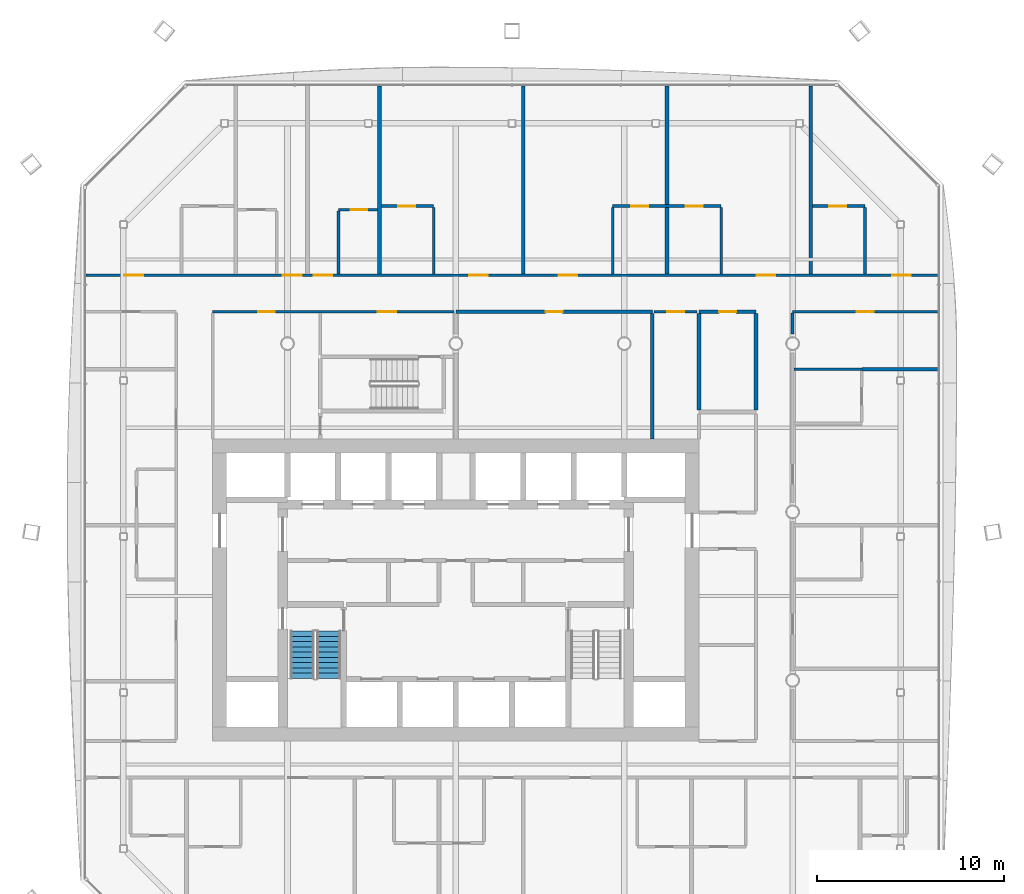
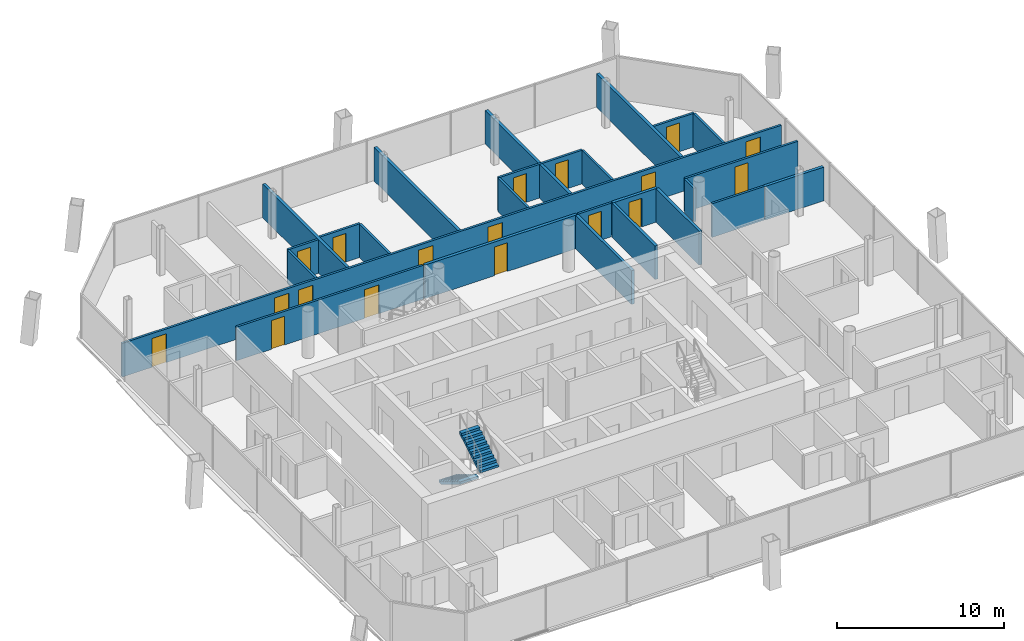
# One storey, part 15 of 21: 25 walls, 18 doors, 2 stair flights, 18 openings, 1 element without a shape of its own.
"""IFC4 building model written with IfcOpenShell, lengths in metres."""

from ifc_helpers import new_model, si_unit, direction, frame, frame_2d, origin, place, context, subcontext, project, spatial, polyline, rectangle, outline, extrude, material, layer, layer_set, type_object, element, fill, aggregate, save


model = new_model("IFC4")

# Units and contexts
model_context = context("Model", 3, precision=1e-05, world=origin(), true_north=direction((0.0, 1.0)))
body_context = subcontext(model_context, "Body", "Model", "MODEL_VIEW")
ifc_project = project(units=[si_unit("LENGTHUNIT", "METRE"), si_unit("AREAUNIT", "SQUARE_METRE"), si_unit("VOLUMEUNIT", "CUBIC_METRE"), si_unit("PLANEANGLEUNIT", "RADIAN"), si_unit("MASSUNIT", "GRAM", prefix="KILO")], contexts=[model_context])

# Site, building, storey
site_placement = place(None, origin())
site = spatial("IfcSite", under=ifc_project, at=site_placement, CompositionType="ELEMENT")
building_placement = place(site_placement, origin())
building = spatial("IfcBuilding", under=site, at=building_placement, Name="Tskaro Facet Tower", CompositionType="ELEMENT")
storey_placement = place(building_placement, frame((0.0, 0.0, 135.10009765625)))
storey = spatial("IfcBuildingStorey", under=building, at=storey_placement, Name="L32", CompositionType="ELEMENT", Elevation=135.10009765625)

# Wall
ifc_material_1 = material(Name="Gypsum board on steel studs", Category="steel")
ifc_layer_1 = layer(ifc_material_1, 0.14990234375, Name="Gypsum board on steel studs")
ifc_layer_set_1 = layer_set([ifc_layer_1], Name="Gypsum board on steel studs")
wall_type_1 = type_object("IfcWallType", Name="PART-CORR", PredefinedType="PARTITIONING", material=ifc_layer_set_1)
wall_1_placement = place(storey_placement, frame((18.074951171875, 7.6259765625, 0.0), z_axis=(0.0, 0.0, 1.0), x_axis=(1.0, 0.0, 0.0)))
element("IfcWall", 1, at=wall_1_placement, inside=storey, type_object=wall_type_1, Name="Corridor wall W034", PredefinedType="PARTITIONING", context=body_context, shape_type="SweptSolid", body=[
    extrude(rectangle(XDim=3.625, YDim=0.14990234375, at=frame_2d((1.8125, 0.0))), origin(), (0.0, 0.0, 1.0), 2.4599609375),
])

# Wall, openings, doors
wall_2_placement = place(storey_placement, frame((-0.10009765625, 10.699951171875, 0.0), z_axis=(0.0, 0.0, 1.0), x_axis=(-1.0, 0.0, 0.0)))
wall_2 = element("IfcWall", 2, at=wall_2_placement, inside=storey, type_object=wall_type_1, Name="Corridor wall W039", PredefinedType="PARTITIONING", context=body_context, shape_type="SweptSolid", body=[
    extrude(rectangle(XDim=12.89990234375, YDim=0.14990234375, at=frame_2d((6.449951171875, 0.0))), origin(), (0.0, 0.0, 1.0), 2.4599609375),
])
opening_1_placement = place(wall_2_placement, frame((3.074951171875, 0.0, 0.0)))
opening_1 = element("IfcOpeningElement", 3, at=opening_1_placement, cuts=wall_2, Name="Opening T9-D43", PredefinedType="OPENING", context=body_context, shape_type="SweptSolid", body=[
    extrude(rectangle(XDim=1.0, YDim=2.10009765625, at=frame_2d((0.5, 1.050048828125))), frame((0.0, 0.0849609375, 0.0), z_axis=(0.0, -1.0, 0.0), x_axis=(1.0, 0.0, 0.0)), (0.0, 0.0, 1.0), 0.169921875),
])
opening_2_placement = place(wall_2_placement, frame((9.574951171875, 0.0, 0.0)))
opening_2 = element("IfcOpeningElement", 4, at=opening_2_placement, cuts=wall_2, Name="Opening T9-D42", PredefinedType="OPENING", context=body_context, shape_type="SweptSolid", body=[
    extrude(rectangle(XDim=0.89990234375, YDim=2.10009765625, at=frame_2d((0.449951171875, 1.050048828125))), frame((0.0, 0.0849609375, 0.0), z_axis=(0.0, -1.0, 0.0), x_axis=(1.0, 0.0, 0.0)), (0.0, 0.0, 1.0), 0.169921875),
])
ifc_material_2 = material(Name="Steel", Category="steel")
door_type_1 = type_object("IfcDoorType", Name="D-LOBBY", OperationType="NOTDEFINED", PredefinedType="DOOR", material=ifc_material_2)
door_1_placement = place(opening_1_placement, origin())
door_1 = element("IfcDoor", 5, at=door_1_placement, inside=storey, type_object=door_type_1, Name="Stair lobby door", OperationType="SINGLE_SWING_RIGHT", OverallHeight=2.10009765625, OverallWidth=1.0, PredefinedType="DOOR", context=body_context, shape_type="SweptSolid", body=[
    extrude(rectangle(XDim=1.0, YDim=2.10009765625, at=frame_2d((0.5, 1.050048828125))), frame((0.0, 0.02490234375, 0.0), z_axis=(0.0, -1.0, 0.0), x_axis=(1.0, 0.0, 0.0)), (0.0, 0.0, 1.0), 0.050048828125),
])
fill(opening_1, door_1)
ifc_material_3 = material(Name="Timber", Category="wood")
door_type_2 = type_object("IfcDoorType", Name="D-ROOM", OperationType="NOTDEFINED", PredefinedType="DOOR", material=ifc_material_3)
door_2_placement = place(opening_2_placement, origin())
door_2 = element("IfcDoor", 6, at=door_2_placement, inside=storey, type_object=door_type_2, Name="Door T9-D42", OperationType="SINGLE_SWING_RIGHT", OverallHeight=2.10009765625, OverallWidth=0.89990234375, PredefinedType="DOOR", context=body_context, shape_type="SweptSolid", body=[
    extrude(rectangle(XDim=0.89990234375, YDim=2.10009765625, at=frame_2d((0.449951171875, 1.050048828125))), frame((0.0, 0.02490234375, 0.0), z_axis=(0.0, -1.0, 0.0), x_axis=(1.0, 0.0, 0.0)), (0.0, 0.0, 1.0), 0.050048828125),
])
fill(opening_2, door_2)

# Wall, opening, door
wall_3_placement = place(storey_placement, frame((12.89990234375, 10.699951171875, 0.0), z_axis=(0.0, 0.0, 1.0), x_axis=(-1.0, 0.0, 0.0)))
wall_3 = element("IfcWall", 7, at=wall_3_placement, inside=storey, type_object=wall_type_1, Name="Corridor wall W041", PredefinedType="PARTITIONING", context=body_context, shape_type="SweptSolid", body=[
    extrude(rectangle(XDim=2.2998046875, YDim=0.14990234375, at=frame_2d((1.14990234375, 0.0))), origin(), (0.0, 0.0, 1.0), 2.4599609375),
])
opening_3_placement = place(wall_3_placement, frame((0.699951171875, 0.0, 0.0)))
opening_3 = element("IfcOpeningElement", 8, at=opening_3_placement, cuts=wall_3, Name="Opening T9-D45", PredefinedType="OPENING", context=body_context, shape_type="SweptSolid", body=[
    extrude(rectangle(XDim=0.89990234375, YDim=2.10009765625, at=frame_2d((0.449951171875, 1.050048828125))), frame((0.0, 0.0849609375, 0.0), z_axis=(0.0, -1.0, 0.0), x_axis=(1.0, 0.0, 0.0)), (0.0, 0.0, 1.0), 0.169921875),
])
door_3_placement = place(opening_3_placement, origin())
door_3 = element("IfcDoor", 9, at=door_3_placement, inside=storey, type_object=door_type_2, Name="Door T9-D45", OperationType="SINGLE_SWING_RIGHT", OverallHeight=2.10009765625, OverallWidth=0.89990234375, PredefinedType="DOOR", context=body_context, shape_type="SweptSolid", body=[
    extrude(rectangle(XDim=0.89990234375, YDim=2.10009765625, at=frame_2d((0.449951171875, 1.050048828125))), frame((0.0, 0.02490234375, 0.0), z_axis=(0.0, -1.0, 0.0), x_axis=(1.0, 0.0, 0.0)), (0.0, 0.0, 1.0), 0.050048828125),
])
fill(opening_3, door_3)

wall_4_placement = place(storey_placement, frame((25.77001953125, 10.699951171875, 0.0), z_axis=(0.0, 0.0, 1.0), x_axis=(-1.0, 0.0, 0.0)))
wall_4 = element("IfcWall", 10, at=wall_4_placement, inside=storey, type_object=wall_type_1, Name="Corridor wall W043", PredefinedType="PARTITIONING", context=body_context, shape_type="SweptSolid", body=[
    extrude(rectangle(XDim=7.77001953125, YDim=0.14990234375, at=frame_2d((3.885009765625, 0.0))), origin(), (0.0, 0.0, 1.0), 2.4599609375),
])
opening_4_placement = place(wall_4_placement, frame((3.43505859375, 0.0, 0.0)))
opening_4 = element("IfcOpeningElement", 11, at=opening_4_placement, cuts=wall_4, Name="Opening T9-D47", PredefinedType="OPENING", context=body_context, shape_type="SweptSolid", body=[
    extrude(rectangle(XDim=0.89990234375, YDim=2.10009765625, at=frame_2d((0.449951171875, 1.050048828125))), frame((0.0, 0.0849609375, 0.0), z_axis=(0.0, -1.0, 0.0), x_axis=(1.0, 0.0, 0.0)), (0.0, 0.0, 1.0), 0.169921875),
])
door_4_placement = place(opening_4_placement, origin())
door_4 = element("IfcDoor", 12, at=door_4_placement, inside=storey, type_object=door_type_2, Name="Door T9-D47", OperationType="SINGLE_SWING_RIGHT", OverallHeight=2.10009765625, OverallWidth=0.89990234375, PredefinedType="DOOR", context=body_context, shape_type="SweptSolid", body=[
    extrude(rectangle(XDim=0.89990234375, YDim=2.10009765625, at=frame_2d((0.449951171875, 1.050048828125))), frame((0.0, 0.02490234375, 0.0), z_axis=(0.0, -1.0, 0.0), x_axis=(1.0, 0.0, 0.0)), (0.0, 0.0, 1.0), 0.050048828125),
])
fill(opening_4, door_4)

# Wall, openings, doors
wall_5_placement = place(storey_placement, frame((-19.77001953125, 12.64990234375, 0.0), z_axis=(0.0, 0.0, 1.0), x_axis=(1.0, 0.0, 0.0)))
wall_5 = element("IfcWall", 13, at=wall_5_placement, inside=storey, type_object=wall_type_1, Name="Corridor wall W044", PredefinedType="PARTITIONING", context=body_context, shape_type="SweptSolid", body=[
    extrude(rectangle(XDim=45.5400390625, YDim=0.14990234375, at=frame_2d((22.77001953125, 0.0))), origin(), (0.0, 0.0, 1.0), 2.4599609375),
])
opening_5_placement = place(wall_5_placement, frame((2.051025390625, 0.0, 0.0)))
opening_5 = element("IfcOpeningElement", 14, at=opening_5_placement, cuts=wall_5, Name="Opening T9-D48", PredefinedType="OPENING", context=body_context, shape_type="SweptSolid", body=[
    extrude(rectangle(XDim=1.0, YDim=2.10009765625, at=frame_2d((0.5, 1.050048828125))), frame((0.0, 0.0849609375, 0.0), z_axis=(0.0, -1.0, 0.0), x_axis=(1.0, 0.0, 0.0)), (0.0, 0.0, 1.0), 0.169921875),
])
opening_6_placement = place(wall_5_placement, frame((10.51806640625, 0.0, 0.0)))
opening_6 = element("IfcOpeningElement", 15, at=opening_6_placement, cuts=wall_5, Name="Opening T9-D49", PredefinedType="OPENING", context=body_context, shape_type="SweptSolid", body=[
    extrude(rectangle(XDim=1.0, YDim=2.10009765625, at=frame_2d((0.5, 1.050048828125))), frame((0.0, 0.0849609375, 0.0), z_axis=(0.0, -1.0, 0.0), x_axis=(1.0, 0.0, 0.0)), (0.0, 0.0, 1.0), 0.169921875),
])
opening_7_placement = place(wall_5_placement, frame((12.169921875, 0.0, 0.0)))
opening_7 = element("IfcOpeningElement", 16, at=opening_7_placement, cuts=wall_5, Name="Opening T9-D50", PredefinedType="OPENING", context=body_context, shape_type="SweptSolid", body=[
    extrude(rectangle(XDim=1.0, YDim=2.10009765625, at=frame_2d((0.5, 1.050048828125))), frame((0.0, 0.0849609375, 0.0), z_axis=(0.0, -1.0, 0.0), x_axis=(1.0, 0.0, 0.0)), (0.0, 0.0, 1.0), 0.169921875),
])
opening_8_placement = place(wall_5_placement, frame((20.47802734375, 0.0, 0.0)))
opening_8 = element("IfcOpeningElement", 17, at=opening_8_placement, cuts=wall_5, Name="Opening T9-D51", PredefinedType="OPENING", context=body_context, shape_type="SweptSolid", body=[
    extrude(rectangle(XDim=1.0, YDim=2.10009765625, at=frame_2d((0.5, 1.050048828125))), frame((0.0, 0.0849609375, 0.0), z_axis=(0.0, -1.0, 0.0), x_axis=(1.0, 0.0, 0.0)), (0.0, 0.0, 1.0), 0.169921875),
])
opening_9_placement = place(wall_5_placement, frame((25.261962890625, 0.0, 0.0)))
opening_9 = element("IfcOpeningElement", 18, at=opening_9_placement, cuts=wall_5, Name="Opening T9-D52", PredefinedType="OPENING", context=body_context, shape_type="SweptSolid", body=[
    extrude(rectangle(XDim=1.0, YDim=2.10009765625, at=frame_2d((0.5, 1.050048828125))), frame((0.0, 0.0849609375, 0.0), z_axis=(0.0, -1.0, 0.0), x_axis=(1.0, 0.0, 0.0)), (0.0, 0.0, 1.0), 0.169921875),
])
opening_10_placement = place(wall_5_placement, frame((35.845947265625, 0.0, 0.0)))
opening_10 = element("IfcOpeningElement", 19, at=opening_10_placement, cuts=wall_5, Name="Opening T9-D53", PredefinedType="OPENING", context=body_context, shape_type="SweptSolid", body=[
    extrude(rectangle(XDim=1.0, YDim=2.10009765625, at=frame_2d((0.5, 1.050048828125))), frame((0.0, 0.0849609375, 0.0), z_axis=(0.0, -1.0, 0.0), x_axis=(1.0, 0.0, 0.0)), (0.0, 0.0, 1.0), 0.169921875),
])
opening_11_placement = place(wall_5_placement, frame((43.089111328125, 0.0, 0.0)))
opening_11 = element("IfcOpeningElement", 20, at=opening_11_placement, cuts=wall_5, Name="Opening T9-D54", PredefinedType="OPENING", context=body_context, shape_type="SweptSolid", body=[
    extrude(rectangle(XDim=1.0, YDim=2.10009765625, at=frame_2d((0.5, 1.050048828125))), frame((0.0, 0.0849609375, 0.0), z_axis=(0.0, -1.0, 0.0), x_axis=(1.0, 0.0, 0.0)), (0.0, 0.0, 1.0), 0.169921875),
])
door_type_3 = type_object("IfcDoorType", Name="D-ENTRY", OperationType="NOTDEFINED", PredefinedType="DOOR", material=ifc_material_3)
door_5_placement = place(opening_5_placement, origin())
door_5 = element("IfcDoor", 21, at=door_5_placement, inside=storey, type_object=door_type_3, Name="Door T9-D48", OperationType="SINGLE_SWING_RIGHT", OverallHeight=2.10009765625, OverallWidth=1.0, PredefinedType="DOOR", context=body_context, shape_type="SweptSolid", body=[
    extrude(rectangle(XDim=1.0, YDim=2.10009765625, at=frame_2d((0.5, 1.050048828125))), frame((0.0, 0.02490234375, 0.0), z_axis=(0.0, -1.0, 0.0), x_axis=(1.0, 0.0, 0.0)), (0.0, 0.0, 1.0), 0.050048828125),
])
fill(opening_5, door_5)
door_6_placement = place(opening_6_placement, origin())
door_6 = element("IfcDoor", 22, at=door_6_placement, inside=storey, type_object=door_type_3, Name="Door T9-D49", OperationType="SINGLE_SWING_LEFT", OverallHeight=2.10009765625, OverallWidth=1.0, PredefinedType="DOOR", context=body_context, shape_type="SweptSolid", body=[
    extrude(rectangle(XDim=1.0, YDim=2.10009765625, at=frame_2d((0.5, 1.050048828125))), frame((0.0, 0.02490234375, 0.0), z_axis=(0.0, -1.0, 0.0), x_axis=(1.0, 0.0, 0.0)), (0.0, 0.0, 1.0), 0.050048828125),
])
fill(opening_6, door_6)
door_7_placement = place(opening_7_placement, origin())
door_7 = element("IfcDoor", 23, at=door_7_placement, inside=storey, type_object=door_type_3, Name="Door T9-D50", OperationType="SINGLE_SWING_LEFT", OverallHeight=2.10009765625, OverallWidth=1.0, PredefinedType="DOOR", context=body_context, shape_type="SweptSolid", body=[
    extrude(rectangle(XDim=1.0, YDim=2.10009765625, at=frame_2d((0.5, 1.050048828125))), frame((0.0, 0.02490234375, 0.0), z_axis=(0.0, -1.0, 0.0), x_axis=(1.0, 0.0, 0.0)), (0.0, 0.0, 1.0), 0.050048828125),
])
fill(opening_7, door_7)
door_8_placement = place(opening_8_placement, origin())
door_8 = element("IfcDoor", 24, at=door_8_placement, inside=storey, type_object=door_type_3, Name="Door T9-D51", OperationType="SINGLE_SWING_RIGHT", OverallHeight=2.10009765625, OverallWidth=1.0, PredefinedType="DOOR", context=body_context, shape_type="SweptSolid", body=[
    extrude(rectangle(XDim=1.0, YDim=2.10009765625, at=frame_2d((0.5, 1.050048828125))), frame((0.0, 0.02490234375, 0.0), z_axis=(0.0, -1.0, 0.0), x_axis=(1.0, 0.0, 0.0)), (0.0, 0.0, 1.0), 0.050048828125),
])
fill(opening_8, door_8)
door_9_placement = place(opening_9_placement, origin())
door_9 = element("IfcDoor", 25, at=door_9_placement, inside=storey, type_object=door_type_3, Name="Door T9-D52", OperationType="SINGLE_SWING_RIGHT", OverallHeight=2.10009765625, OverallWidth=1.0, PredefinedType="DOOR", context=body_context, shape_type="SweptSolid", body=[
    extrude(rectangle(XDim=1.0, YDim=2.10009765625, at=frame_2d((0.5, 1.050048828125))), frame((0.0, 0.02490234375, 0.0), z_axis=(0.0, -1.0, 0.0), x_axis=(1.0, 0.0, 0.0)), (0.0, 0.0, 1.0), 0.050048828125),
])
fill(opening_9, door_9)
door_10_placement = place(opening_10_placement, origin())
door_10 = element("IfcDoor", 26, at=door_10_placement, inside=storey, type_object=door_type_3, Name="Door T9-D53", OperationType="SINGLE_SWING_LEFT", OverallHeight=2.10009765625, OverallWidth=1.0, PredefinedType="DOOR", context=body_context, shape_type="SweptSolid", body=[
    extrude(rectangle(XDim=1.0, YDim=2.10009765625, at=frame_2d((0.5, 1.050048828125))), frame((0.0, 0.02490234375, 0.0), z_axis=(0.0, -1.0, 0.0), x_axis=(1.0, 0.0, 0.0)), (0.0, 0.0, 1.0), 0.050048828125),
])
fill(opening_10, door_10)
door_11_placement = place(opening_11_placement, origin())
door_11 = element("IfcDoor", 27, at=door_11_placement, inside=storey, type_object=door_type_3, Name="Door T9-D54", OperationType="SINGLE_SWING_RIGHT", OverallHeight=2.10009765625, OverallWidth=1.0, PredefinedType="DOOR", context=body_context, shape_type="SweptSolid", body=[
    extrude(rectangle(XDim=1.0, YDim=2.10009765625, at=frame_2d((0.5, 1.050048828125))), frame((0.0, 0.02490234375, 0.0), z_axis=(0.0, -1.0, 0.0), x_axis=(1.0, 0.0, 0.0)), (0.0, 0.0, 1.0), 0.050048828125),
])
fill(opening_11, door_11)

# Wall, opening, door
wall_6_placement = place(storey_placement, frame((-4.18408203125, 16.14990234375, 0.0), z_axis=(0.0, 0.0, 1.0), x_axis=(-1.0, 0.0, 0.0)))
wall_6 = element("IfcWall", 28, at=wall_6_placement, inside=storey, type_object=wall_type_1, Name="Corridor wall W046", PredefinedType="PARTITIONING", context=body_context, shape_type="SweptSolid", body=[
    extrude(rectangle(XDim=2.08984375, YDim=0.14990234375, at=frame_2d((1.044921875, 0.0))), origin(), (0.0, 0.0, 1.0), 2.4599609375),
])
opening_12_placement = place(wall_6_placement, frame((0.544921875, 0.0, 0.0)))
opening_12 = element("IfcOpeningElement", 29, at=opening_12_placement, cuts=wall_6, Name="Opening T9-D56", PredefinedType="OPENING", context=body_context, shape_type="SweptSolid", body=[
    extrude(rectangle(XDim=0.89990234375, YDim=2.10009765625, at=frame_2d((0.449951171875, 1.050048828125))), frame((0.0, 0.0849609375, 0.0), z_axis=(0.0, -1.0, 0.0), x_axis=(1.0, 0.0, 0.0)), (0.0, 0.0, 1.0), 0.169921875),
])
door_12_placement = place(opening_12_placement, origin())
door_12 = element("IfcDoor", 30, at=door_12_placement, inside=storey, type_object=door_type_2, Name="Door T9-D56", OperationType="SINGLE_SWING_RIGHT", OverallHeight=2.10009765625, OverallWidth=0.89990234375, PredefinedType="DOOR", context=body_context, shape_type="SweptSolid", body=[
    extrude(rectangle(XDim=0.89990234375, YDim=2.10009765625, at=frame_2d((0.449951171875, 1.050048828125))), frame((0.0, 0.02490234375, 0.0), z_axis=(0.0, -1.0, 0.0), x_axis=(1.0, 0.0, 0.0)), (0.0, 0.0, 1.0), 0.050048828125),
])
fill(opening_12, door_12)

wall_7_placement = place(storey_placement, frame((-1.18408203125, 16.35009765625, 0.0), z_axis=(0.0, 0.0, 1.0), x_axis=(-1.0, 0.0, 0.0)))
wall_7 = element("IfcWall", 31, at=wall_7_placement, inside=storey, type_object=wall_type_1, Name="Corridor wall W048", PredefinedType="PARTITIONING", context=body_context, shape_type="SweptSolid", body=[
    extrude(rectangle(XDim=2.7998046875, YDim=0.14990234375, at=frame_2d((1.39990234375, 0.0))), origin(), (0.0, 0.0, 1.0), 2.4599609375),
])
opening_13_placement = place(wall_7_placement, frame((1.0, 0.0, 0.0)))
opening_13 = element("IfcOpeningElement", 32, at=opening_13_placement, cuts=wall_7, Name="Opening T9-D58", PredefinedType="OPENING", context=body_context, shape_type="SweptSolid", body=[
    extrude(rectangle(XDim=0.89990234375, YDim=2.10009765625, at=frame_2d((0.449951171875, 1.050048828125))), frame((0.0, 0.0849609375, 0.0), z_axis=(0.0, -1.0, 0.0), x_axis=(1.0, 0.0, 0.0)), (0.0, 0.0, 1.0), 0.169921875),
])
door_13_placement = place(opening_13_placement, origin())
door_13 = element("IfcDoor", 33, at=door_13_placement, inside=storey, type_object=door_type_2, Name="Door T9-D58", OperationType="SINGLE_SWING_RIGHT", OverallHeight=2.10009765625, OverallWidth=0.89990234375, PredefinedType="DOOR", context=body_context, shape_type="SweptSolid", body=[
    extrude(rectangle(XDim=0.89990234375, YDim=2.10009765625, at=frame_2d((0.449951171875, 1.050048828125))), frame((0.0, 0.02490234375, 0.0), z_axis=(0.0, -1.0, 0.0), x_axis=(1.0, 0.0, 0.0)), (0.0, 0.0, 1.0), 0.050048828125),
])
fill(opening_13, door_13)

# Wall, openings, doors
wall_8_placement = place(storey_placement, frame((14.18408203125, 16.35009765625, 0.0), z_axis=(0.0, 0.0, 1.0), x_axis=(-1.0, 0.0, 0.0)))
wall_8 = element("IfcWall", 34, at=wall_8_placement, inside=storey, type_object=wall_type_1, Name="Corridor wall W049", PredefinedType="PARTITIONING", context=body_context, shape_type="SweptSolid", body=[
    extrude(rectangle(XDim=5.800048828125, YDim=0.14990234375, at=frame_2d((2.89990234375, 0.0))), origin(), (0.0, 0.0, 1.0), 2.4599609375),
])
opening_14_placement = place(wall_8_placement, frame((3.89990234375, 0.0, 0.0)))
opening_14 = element("IfcOpeningElement", 35, at=opening_14_placement, cuts=wall_8, Name="Opening T9-D59", PredefinedType="OPENING", context=body_context, shape_type="SweptSolid", body=[
    extrude(rectangle(XDim=0.89990234375, YDim=2.10009765625, at=frame_2d((0.449951171875, 1.050048828125))), frame((0.0, 0.0849609375, 0.0), z_axis=(0.0, -1.0, 0.0), x_axis=(1.0, 0.0, 0.0)), (0.0, 0.0, 1.0), 0.169921875),
])
opening_15_placement = place(wall_8_placement, frame((1.0, 0.0, 0.0)))
opening_15 = element("IfcOpeningElement", 36, at=opening_15_placement, cuts=wall_8, Name="Opening T9-D60", PredefinedType="OPENING", context=body_context, shape_type="SweptSolid", body=[
    extrude(rectangle(XDim=0.89990234375, YDim=2.10009765625, at=frame_2d((0.449951171875, 1.050048828125))), frame((0.0, 0.0849609375, 0.0), z_axis=(0.0, -1.0, 0.0), x_axis=(1.0, 0.0, 0.0)), (0.0, 0.0, 1.0), 0.169921875),
])
door_14_placement = place(opening_14_placement, origin())
door_14 = element("IfcDoor", 37, at=door_14_placement, inside=storey, type_object=door_type_2, Name="Door T9-D59", OperationType="SINGLE_SWING_RIGHT", OverallHeight=2.10009765625, OverallWidth=0.89990234375, PredefinedType="DOOR", context=body_context, shape_type="SweptSolid", body=[
    extrude(rectangle(XDim=0.89990234375, YDim=2.10009765625, at=frame_2d((0.449951171875, 1.050048828125))), frame((0.0, 0.02490234375, 0.0), z_axis=(0.0, -1.0, 0.0), x_axis=(1.0, 0.0, 0.0)), (0.0, 0.0, 1.0), 0.050048828125),
])
fill(opening_14, door_14)
door_15_placement = place(opening_15_placement, origin())
door_15 = element("IfcDoor", 38, at=door_15_placement, inside=storey, type_object=door_type_2, Name="Door T9-D60", OperationType="SINGLE_SWING_RIGHT", OverallHeight=2.10009765625, OverallWidth=0.89990234375, PredefinedType="DOOR", context=body_context, shape_type="SweptSolid", body=[
    extrude(rectangle(XDim=0.89990234375, YDim=2.10009765625, at=frame_2d((0.449951171875, 1.050048828125))), frame((0.0, 0.02490234375, 0.0), z_axis=(0.0, -1.0, 0.0), x_axis=(1.0, 0.0, 0.0)), (0.0, 0.0, 1.0), 0.050048828125),
])
fill(opening_15, door_15)

# Wall, opening, door
wall_9_placement = place(storey_placement, frame((21.867919921875, 16.35009765625, 0.0), z_axis=(0.0, 0.0, 1.0), x_axis=(-1.0, 0.0, 0.0)))
wall_9 = element("IfcWall", 39, at=wall_9_placement, inside=storey, type_object=wall_type_1, Name="Corridor wall W050", PredefinedType="PARTITIONING", context=body_context, shape_type="SweptSolid", body=[
    extrude(rectangle(XDim=2.7998046875, YDim=0.14990234375, at=frame_2d((1.39990234375, 0.0))), origin(), (0.0, 0.0, 1.0), 2.4599609375),
])
opening_16_placement = place(wall_9_placement, frame((1.0, 0.0, 0.0)))
opening_16 = element("IfcOpeningElement", 40, at=opening_16_placement, cuts=wall_9, Name="Opening T9-D61", PredefinedType="OPENING", context=body_context, shape_type="SweptSolid", body=[
    extrude(rectangle(XDim=0.89990234375, YDim=2.10009765625, at=frame_2d((0.449951171875, 1.050048828125))), frame((0.0, 0.0849609375, 0.0), z_axis=(0.0, -1.0, 0.0), x_axis=(1.0, 0.0, 0.0)), (0.0, 0.0, 1.0), 0.169921875),
])
door_16_placement = place(opening_16_placement, origin())
door_16 = element("IfcDoor", 41, at=door_16_placement, inside=storey, type_object=door_type_2, Name="Door T9-D61", OperationType="SINGLE_SWING_RIGHT", OverallHeight=2.10009765625, OverallWidth=0.89990234375, PredefinedType="DOOR", context=body_context, shape_type="SweptSolid", body=[
    extrude(rectangle(XDim=0.89990234375, YDim=2.10009765625, at=frame_2d((0.449951171875, 1.050048828125))), frame((0.0, 0.02490234375, 0.0), z_axis=(0.0, -1.0, 0.0), x_axis=(1.0, 0.0, 0.0)), (0.0, 0.0, 1.0), 0.050048828125),
])
fill(opening_16, door_16)

# Walls
wall_10_placement = place(storey_placement, frame((-6.27392578125, 12.72509765625, 0.0), z_axis=(0.0, 0.0, 1.0), x_axis=(0.0, 1.0, 0.0)))
element("IfcWall", 42, at=wall_10_placement, inside=storey, type_object=wall_type_1, Name="Corridor wall W066", PredefinedType="PARTITIONING", context=body_context, shape_type="SweptSolid", body=[
    extrude(rectangle(XDim=3.349853515625, YDim=0.14990234375, at=frame_2d((1.6748046875, 0.0))), origin(), (0.0, 0.0, 1.0), 2.4599609375),
])
for number, where, z_axis, x_axis, name in (
    (43, (-1.18408203125, 12.72509765625, 0.0), (0.0, 0.0, 1.0), (0.0, 1.0, 0.0), "Corridor wall W074"),
    (44, (8.384033203125, 12.72509765625, 0.0), (0.0, 0.0, 1.0), (0.0, 1.0, 0.0), "Corridor wall W092"),
    (45, (14.18408203125, 12.72509765625, 0.0), (0.0, 0.0, 1.0), (0.0, 1.0, 0.0), "Corridor wall W100"),
):
    element("IfcWall", number, at=place(storey_placement, frame(where, z_axis=z_axis, x_axis=x_axis)), inside=storey, type_object=wall_type_1, Name=name, PredefinedType="PARTITIONING", context=body_context, shape_type="SweptSolid", body=[
        extrude(rectangle(XDim=3.5498046875, YDim=0.14990234375, at=frame_2d((1.77490234375, 0.0))), origin(), (0.0, 0.0, 1.0), 2.4599609375),
    ])
wall_11_placement = place(storey_placement, frame((18.0, 9.5, 0.0), z_axis=(0.0, 0.0, 1.0), x_axis=(0.0, 1.0, 0.0)))
element("IfcWall", 46, at=wall_11_placement, inside=storey, type_object=wall_type_1, Name="Corridor wall W108", PredefinedType="PARTITIONING", context=body_context, shape_type="SweptSolid", body=[
    extrude(rectangle(XDim=1.125, YDim=0.14990234375, at=frame_2d((0.5625, 0.0))), origin(), (0.0, 0.0, 1.0), 2.4599609375),
])
wall_12_placement = place(storey_placement, frame((21.867919921875, 12.72509765625, 0.0), z_axis=(0.0, 0.0, 1.0), x_axis=(0.0, 1.0, 0.0)))
element("IfcWall", 47, at=wall_12_placement, inside=storey, type_object=wall_type_1, Name="Corridor wall W113", PredefinedType="PARTITIONING", context=body_context, shape_type="SweptSolid", body=[
    extrude(rectangle(XDim=3.5498046875, YDim=0.14990234375, at=frame_2d((1.77490234375, 0.0))), origin(), (0.0, 0.0, 1.0), 2.4599609375),
])
ifc_layer_2 = layer(ifc_material_1, 0.199951171875, Name="Gypsum board on steel studs")
ifc_layer_set_2 = layer_set([ifc_layer_2], Name="Gypsum board on steel studs")
wall_type_2 = type_object("IfcWallType", Name="PART-DEMISING", PredefinedType="PARTITIONING", material=ifc_layer_set_2)
wall_13_placement = place(storey_placement, frame((21.699951171875, 7.6259765625, 0.0), z_axis=(0.0, 0.0, 1.0), x_axis=(1.0, 0.0, 0.0)))
element("IfcWall", 48, at=wall_13_placement, inside=storey, type_object=wall_type_2, Name="Guest room wall W035", PredefinedType="PARTITIONING", context=body_context, shape_type="SweptSolid", body=[
    extrude(rectangle(XDim=4.070068359375, YDim=0.199951171875, at=frame_2d((2.03515625, 0.0))), origin(), (0.0, 0.0, 1.0), 2.4599609375),
])
for number, where, z_axis, x_axis, name in (
    (49, (-4.083984375, 12.72509765625, 0.0), (0.0, 0.0, 1.0), (0.0, 1.0, 0.0), "Guest room wall W069"),
    (50, (3.60009765625, 12.72509765625, 0.0), (0.0, 0.0, 1.0), (0.0, 1.0, 0.0), "Guest room wall W089"),
    (51, (11.283935546875, 12.72509765625, 0.0), (0.0, 0.0, 1.0), (0.0, 1.0, 0.0), "Guest room wall W096"),
    (52, (18.968017578125, 12.72509765625, 0.0), (0.0, 0.0, 1.0), (0.0, 1.0, 0.0), "Guest room wall W109"),
):
    element("IfcWall", number, at=place(storey_placement, frame(where, z_axis=z_axis, x_axis=x_axis)), inside=storey, type_object=wall_type_2, Name=name, PredefinedType="PARTITIONING", context=body_context, shape_type="SweptSolid", body=[
        extrude(rectangle(XDim=10.044921875, YDim=0.199951171875, at=frame_2d((5.0224609375, 0.0))), origin(), (0.0, 0.0, 1.0), 2.4599609375),
    ])

# Wall, opening, door
ifc_material_4 = material(Name="Concrete C20/25", Category="concrete")
ifc_layer_3 = layer(ifc_material_4, 0.199951171875, Name="Concrete C20/25")
ifc_layer_set_3 = layer_set([ifc_layer_3], Name="Concrete C20/25")
wall_type_3 = type_object("IfcWallType", Name="WALL-RISER", PredefinedType="SOLIDWALL", material=ifc_layer_set_3)
wall_14_placement = place(storey_placement, frame((10.5, 10.699951171875, 0.0), z_axis=(0.0, 0.0, 1.0), x_axis=(-1.0, 0.0, 0.0)))
wall_14 = element("IfcWall", 53, at=wall_14_placement, inside=storey, type_object=wall_type_3, Name="Riser room wall W040", PredefinedType="SOLIDWALL", context=body_context, shape_type="SweptSolid", body=[
    extrude(rectangle(XDim=10.5, YDim=0.199951171875, at=frame_2d((5.25, 0.0))), origin(), (0.0, 0.0, 1.0), 2.4599609375),
])
opening_17_placement = place(wall_14_placement, frame((4.800048828125, 0.0, 0.0)))
opening_17 = element("IfcOpeningElement", 54, at=opening_17_placement, cuts=wall_14, Name="Opening T9-D44", PredefinedType="OPENING", context=body_context, shape_type="SweptSolid", body=[
    extrude(rectangle(XDim=0.89990234375, YDim=2.10009765625, at=frame_2d((0.449951171875, 1.050048828125))), frame((0.0, 0.10986328125, 0.0), z_axis=(0.0, -1.0, 0.0), x_axis=(1.0, 0.0, 0.0)), (0.0, 0.0, 1.0), 0.219970703125),
])
door_type_4 = type_object("IfcDoorType", Name="D-RISER", OperationType="NOTDEFINED", PredefinedType="DOOR", material=ifc_material_2)
door_17_placement = place(opening_17_placement, origin())
door_17 = element("IfcDoor", 55, at=door_17_placement, inside=storey, type_object=door_type_4, Name="Door T9-D44", OperationType="SINGLE_SWING_RIGHT", OverallHeight=2.10009765625, OverallWidth=0.89990234375, PredefinedType="DOOR", context=body_context, shape_type="SweptSolid", body=[
    extrude(rectangle(XDim=0.89990234375, YDim=2.10009765625, at=frame_2d((0.449951171875, 1.050048828125))), frame((0.0, 0.02490234375, 0.0), z_axis=(0.0, -1.0, 0.0), x_axis=(1.0, 0.0, 0.0)), (0.0, 0.0, 1.0), 0.050048828125),
])
fill(opening_17, door_17)

wall_15_placement = place(storey_placement, frame((16.050048828125, 10.699951171875, 0.0), z_axis=(0.0, 0.0, 1.0), x_axis=(-1.0, 0.0, 0.0)))
wall_15 = element("IfcWall", 56, at=wall_15_placement, inside=storey, type_object=wall_type_3, Name="Riser room wall W042", PredefinedType="SOLIDWALL", context=body_context, shape_type="SweptSolid", body=[
    extrude(rectangle(XDim=3.050048828125, YDim=0.199951171875, at=frame_2d((1.52490234375, 0.0))), origin(), (0.0, 0.0, 1.0), 2.4599609375),
])
opening_18_placement = place(wall_15_placement, frame((1.074951171875, 0.0, 0.0)))
opening_18 = element("IfcOpeningElement", 57, at=opening_18_placement, cuts=wall_15, Name="Opening T9-D46", PredefinedType="OPENING", context=body_context, shape_type="SweptSolid", body=[
    extrude(rectangle(XDim=0.89990234375, YDim=2.10009765625, at=frame_2d((0.449951171875, 1.050048828125))), frame((0.0, 0.10986328125, 0.0), z_axis=(0.0, -1.0, 0.0), x_axis=(1.0, 0.0, 0.0)), (0.0, 0.0, 1.0), 0.219970703125),
])
door_18_placement = place(opening_18_placement, origin())
door_18 = element("IfcDoor", 58, at=door_18_placement, inside=storey, type_object=door_type_4, Name="Door T9-D46", OperationType="SINGLE_SWING_RIGHT", OverallHeight=2.10009765625, OverallWidth=0.89990234375, PredefinedType="DOOR", context=body_context, shape_type="SweptSolid", body=[
    extrude(rectangle(XDim=0.89990234375, YDim=2.10009765625, at=frame_2d((0.449951171875, 1.050048828125))), frame((0.0, 0.02490234375, 0.0), z_axis=(0.0, -1.0, 0.0), x_axis=(1.0, 0.0, 0.0)), (0.0, 0.0, 1.0), 0.050048828125),
])
fill(opening_18, door_18)

# Walls
wall_16_placement = place(storey_placement, frame((10.5, 3.89990234375, 0.0), z_axis=(0.0, 0.0, 1.0), x_axis=(0.0, 1.0, 0.0)))
element("IfcWall", 59, at=wall_16_placement, inside=storey, type_object=wall_type_3, Name="Riser room wall W095", PredefinedType="SOLIDWALL", context=body_context, shape_type="SweptSolid", body=[
    extrude(rectangle(XDim=6.7001953125, YDim=0.199951171875, at=frame_2d((3.35009765625, 0.0))), origin(), (0.0, 0.0, 1.0), 2.4599609375),
])
for number, where, z_axis, x_axis, name in (
    (60, (13.0, 5.43701171875, 0.0), (0.0, 0.0, 1.0), (0.0, 1.0, 0.0), "Riser room wall W099"),
    (61, (16.050048828125, 5.43701171875, 0.0), (0.0, 0.0, 1.0), (0.0, 1.0, 0.0), "Riser room wall W104"),
):
    element("IfcWall", number, at=place(storey_placement, frame(where, z_axis=z_axis, x_axis=x_axis)), inside=storey, type_object=wall_type_3, Name=name, PredefinedType="SOLIDWALL", context=body_context, shape_type="SweptSolid", body=[
        extrude(rectangle(XDim=5.1630859375, YDim=0.199951171875, at=frame_2d((2.58154296875, 0.0))), origin(), (0.0, 0.0, 1.0), 2.4599609375),
    ])

# Stair, stair flights
ifc_material_5 = material(Name="Concrete C40/50", Category="concrete")
stair_type = type_object("IfcStairType", Name="ST-TWR", PredefinedType="HALF_TURN_STAIR", material=ifc_material_5)
stair_placement = place(storey_placement, origin())
stair = element("IfcStair", 62, at=stair_placement, inside=storey, type_object=stair_type, Name="L32 Exit stair 1", PredefinedType="HALF_TURN_STAIR")
stair_flight_type = type_object("IfcStairFlightType", Name="SFL-RC", PredefinedType="STRAIGHT", material=ifc_material_5)
stair_flight_1_placement = place(storey_placement, frame((-8.21240234375, -6.375, 0.0), z_axis=(0.0, 0.0, 1.0), x_axis=(0.0, -1.0, 0.0)))
stair_flight_1 = element("IfcStairFlight", 63, at=stair_flight_1_placement, type_object=stair_flight_type, Name="ST-1 flight 1", NumberOfRisers=10, NumberOfTreads=9, PredefinedType="STRAIGHT", RiserHeight=0.17, TreadLength=0.28, context=body_context, shape_type="SweptSolid", body=[
    extrude(outline(polyline([(0.0, 0.0), (0.0, 0.169921875), (0.280029296875, 0.169921875), (0.280029296875, 0.340087890625), (0.56005859375, 0.340087890625), (0.56005859375, 0.510009765625), (0.840087890625, 0.510009765625), (0.840087890625, 0.679931640625), (1.1201171875, 0.679931640625), (1.1201171875, 0.85009765625), (1.39990234375, 0.85009765625), (1.39990234375, 1.02001953125), (1.679931640625, 1.02001953125), (1.679931640625, 1.18994140625), (1.9599609375, 1.18994140625), (1.9599609375, 1.360107421875), (2.239990234375, 1.360107421875), (2.239990234375, 1.530029296875), (2.52001953125, 1.530029296875), (2.52001953125, 1.699951171875), (2.52001953125, 1.354736328125), (0.288818359375, 0.0), (0.0, 0.0)])), frame((0.0, 0.637451171875, 0.0), z_axis=(0.0, -1.0, 0.0), x_axis=(1.0, 0.0, 0.0)), (0.0, 0.0, 1.0), 1.27490234375),
])
stair_flight_2_placement = place(storey_placement, frame((-6.78759765625, -8.89501953125, 1.699951171875), z_axis=(0.0, 0.0, 1.0), x_axis=(0.0, 1.0, 0.0)))
stair_flight_2 = element("IfcStairFlight", 64, at=stair_flight_2_placement, type_object=stair_flight_type, Name="ST-1 flight 2", NumberOfRisers=10, NumberOfTreads=9, PredefinedType="STRAIGHT", RiserHeight=0.17, TreadLength=0.28, context=body_context, shape_type="SweptSolid", body=[
    extrude(outline(polyline([(0.0, 0.0), (0.0, 0.169921875), (0.280029296875, 0.169921875), (0.280029296875, 0.340087890625), (0.56005859375, 0.340087890625), (0.56005859375, 0.510009765625), (0.840087890625, 0.510009765625), (0.840087890625, 0.679931640625), (1.1201171875, 0.679931640625), (1.1201171875, 0.85009765625), (1.39990234375, 0.85009765625), (1.39990234375, 1.02001953125), (1.679931640625, 1.02001953125), (1.679931640625, 1.18994140625), (1.9599609375, 1.18994140625), (1.9599609375, 1.360107421875), (2.239990234375, 1.360107421875), (2.239990234375, 1.530029296875), (2.52001953125, 1.530029296875), (2.52001953125, 1.699951171875), (2.52001953125, 1.354736328125), (0.288818359375, 0.0), (0.0, 0.0)])), frame((0.0, 0.637451171875, 0.0), z_axis=(0.0, -1.0, 0.0), x_axis=(1.0, 0.0, 0.0)), (0.0, 0.0, 1.0), 1.27490234375),
])
aggregate(stair, [stair_flight_1, stair_flight_2])

save(model, "model.ifc")
